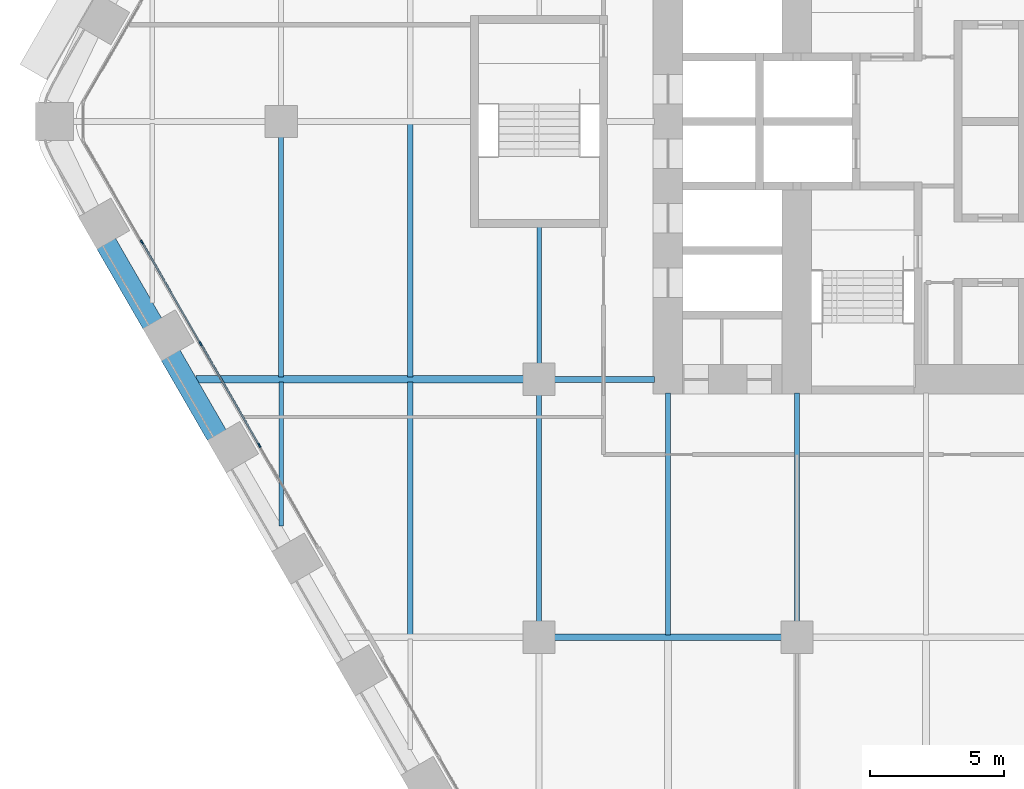
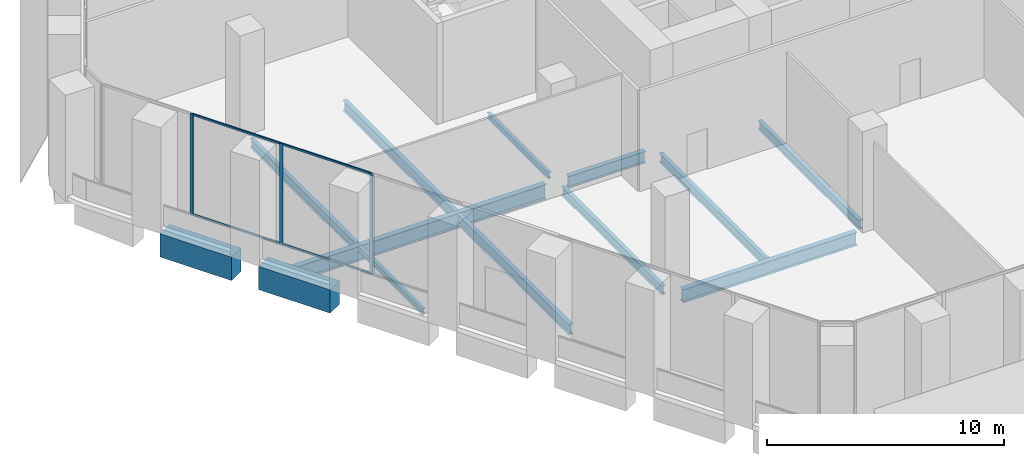
# One storey, part 3 of 32: 13 beams, 7 members, 1 element without a shape of its own.
"""IFC4 building model written with IfcOpenShell, lengths in metres."""

from ifc_helpers import new_model, si_unit, direction, frame, origin, origin_2d, place, context, subcontext, project, spatial, rectangle, i_section, extrude, material, material_profile, profile_set, type_object, element, aggregate, save


model = new_model("IFC4")

# Units and contexts
model_context = context("Model", 3, precision=1e-05, world=origin(), true_north=direction((0.0, 1.0)))
body_context = subcontext(model_context, "Body", "Model", "MODEL_VIEW")
ifc_project = project(units=[si_unit("LENGTHUNIT", "METRE"), si_unit("AREAUNIT", "SQUARE_METRE"), si_unit("VOLUMEUNIT", "CUBIC_METRE"), si_unit("PLANEANGLEUNIT", "RADIAN"), si_unit("MASSUNIT", "GRAM", prefix="KILO")], contexts=[model_context])

# Site, building, storey
site_placement = place(None, origin())
site = spatial("IfcSite", under=ifc_project, at=site_placement, CompositionType="ELEMENT")
building_placement = place(site_placement, origin())
building = spatial("IfcBuilding", under=site, at=building_placement, Name="Kolab Exchange Tower", CompositionType="ELEMENT")
storey_placement = place(building_placement, frame((0.0, 0.0, 60.89990234375)))
storey = spatial("IfcBuildingStorey", under=building, at=storey_placement, Name="L11", CompositionType="ELEMENT", Elevation=60.89990234375)

# Beams
ifc_material_1 = material(Name="Steel S355", Category="steel")
ifc_material_profile_1 = material_profile(ifc_material_1, i_section(OverallWidth=0.1650390625, OverallDepth=0.31005859375, WebThickness=0.005859375, FlangeThickness=0.009765625, at=origin_2d()), Name="W310X39")
ifc_profile_set_1 = profile_set([ifc_material_profile_1], Name="Steel S355")
beam_type_1 = type_object("IfcBeamType", Name="FLOOR BEAM W310X39", PredefinedType="BEAM", material=ifc_profile_set_1)
beam_1_placement = place(storey_placement, frame((-28.800048828125, -15.067626953125, -0.40478515625), z_axis=(0.0, 1.0, 0.0), x_axis=(-1.0, 0.0, 0.0)))
element("IfcBeam", 1, at=beam_1_placement, inside=storey, type_object=beam_type_1, Name="beam/L11/fr/002", PredefinedType="BEAM", context=body_context, shape_type="SweptSolid", body=[
    extrude(i_section(OverallWidth=0.1650390625, OverallDepth=0.31005859375, WebThickness=0.005859375, FlangeThickness=0.009765625, at=origin_2d()), origin(), (0.0, 0.0, 1.0), 5.3740234375),
])
beam_2_placement = place(storey_placement, frame((-19.199951171875, -9.0400390625, -0.40478515625), z_axis=(0.0, 1.0, 0.0), x_axis=(-1.0, 0.0, 0.0)))
element("IfcBeam", 2, at=beam_2_placement, inside=storey, type_object=beam_type_1, Name="beam/L11/fr/014", PredefinedType="BEAM", context=body_context, shape_type="SweptSolid", body=[
    extrude(i_section(OverallWidth=0.1650390625, OverallDepth=0.31005859375, WebThickness=0.005859375, FlangeThickness=0.009765625, at=origin_2d()), origin(), (0.0, 0.0, 1.0), 5.130126953125),
])
ifc_material_profile_2 = material_profile(ifc_material_1, i_section(OverallWidth=0.18994140625, OverallDepth=0.45703125, WebThickness=0.009033203125, FlangeThickness=0.014404296875, at=origin_2d()), Name="W460X74")
ifc_profile_set_2 = profile_set([ifc_material_profile_2], Name="Steel S355")
beam_type_2 = type_object("IfcBeamType", Name="FLOOR BEAM W460X74", PredefinedType="BEAM", material=ifc_profile_set_2)
beam_3_placement = place(storey_placement, frame((-28.800048828125, -9.506591796875, -0.478515625), z_axis=(0.0, 1.0, 0.0), x_axis=(-1.0, 0.0, 0.0)))
element("IfcBeam", 3, at=beam_3_placement, inside=storey, type_object=beam_type_2, Name="beam/L11/fr/003", PredefinedType="BEAM", context=body_context, shape_type="SweptSolid", body=[
    extrude(i_section(OverallWidth=0.18994140625, OverallDepth=0.45703125, WebThickness=0.009033203125, FlangeThickness=0.014404296875, at=origin_2d()), origin(), (0.0, 0.0, 1.0), 8.946533203125),
])
beam_4_placement = place(storey_placement, frame((-19.199951171875, -18.639892578125, -0.478515625), z_axis=(0.0, 1.0, 0.0), x_axis=(-1.0, 0.0, 0.0)))
element("IfcBeam", 4, at=beam_4_placement, inside=storey, type_object=beam_type_2, Name="beam/L11/fr/013", PredefinedType="BEAM", context=body_context, shape_type="SweptSolid", body=[
    extrude(i_section(OverallWidth=0.18994140625, OverallDepth=0.45703125, WebThickness=0.009033203125, FlangeThickness=0.014404296875, at=origin_2d()), origin(), (0.0, 0.0, 1.0), 8.47998046875),
])
beam_5_placement = place(storey_placement, frame((-14.39990234375, -19.113037109375, -0.478515625), z_axis=(0.0, 1.0, 0.0), x_axis=(-1.0, 0.0, 0.0)))
element("IfcBeam", 5, at=beam_5_placement, inside=storey, type_object=beam_type_2, Name="beam/L11/fr/019", PredefinedType="BEAM", context=body_context, shape_type="SweptSolid", body=[
    extrude(i_section(OverallWidth=0.18994140625, OverallDepth=0.45703125, WebThickness=0.009033203125, FlangeThickness=0.014404296875, at=origin_2d()), origin(), (0.0, 0.0, 1.0), 9.0029296875),
])
beam_6_placement = place(storey_placement, frame((-9.60009765625, -18.639892578125, -0.478515625), z_axis=(0.0, 1.0, 0.0), x_axis=(-1.0, 0.0, 0.0)))
element("IfcBeam", 6, at=beam_6_placement, inside=storey, type_object=beam_type_2, Name="beam/L11/fr/023", PredefinedType="BEAM", context=body_context, shape_type="SweptSolid", body=[
    extrude(i_section(OverallWidth=0.18994140625, OverallDepth=0.45703125, WebThickness=0.009033203125, FlangeThickness=0.014404296875, at=origin_2d()), origin(), (0.0, 0.0, 1.0), 8.52978515625),
])
ifc_material_profile_3 = material_profile(ifc_material_1, i_section(OverallWidth=0.208984375, OverallDepth=0.532958984375, WebThickness=0.01025390625, FlangeThickness=0.015625, at=origin_2d()), Name="W530X92")
ifc_profile_set_3 = profile_set([ifc_material_profile_3], Name="Steel S355")
beam_type_3 = type_object("IfcBeamType", Name="FLOOR BEAM W530X92", PredefinedType="BEAM", material=ifc_profile_set_3)
beam_7_placement = place(storey_placement, frame((-24.0, -19.1259765625, -0.516357421875), z_axis=(0.0, 1.0, 0.0), x_axis=(-1.0, 0.0, 0.0)))
element("IfcBeam", 7, at=beam_7_placement, inside=storey, type_object=beam_type_3, Name="beam/L11/fr/007", PredefinedType="BEAM", context=body_context, shape_type="SweptSolid", body=[
    extrude(i_section(OverallWidth=0.208984375, OverallDepth=0.532958984375, WebThickness=0.01025390625, FlangeThickness=0.015625, at=origin_2d()), origin(), (0.0, 0.0, 1.0), 9.432373046875),
])
beam_8_placement = place(storey_placement, frame((-24.0, -9.506591796875, -0.516357421875), z_axis=(0.0, 1.0, 0.0), x_axis=(-1.0, 0.0, 0.0)))
element("IfcBeam", 8, at=beam_8_placement, inside=storey, type_object=beam_type_3, Name="beam/L11/fr/008", PredefinedType="BEAM", context=body_context, shape_type="SweptSolid", body=[
    extrude(i_section(OverallWidth=0.208984375, OverallDepth=0.532958984375, WebThickness=0.01025390625, FlangeThickness=0.015625, at=origin_2d()), origin(), (0.0, 0.0, 1.0), 9.4326171875),
])
ifc_material_profile_4 = material_profile(ifc_material_1, i_section(OverallWidth=0.22802734375, OverallDepth=0.60791015625, WebThickness=0.01123046875, FlangeThickness=0.017333984375, at=origin_2d()), Name="W610X113")
ifc_profile_set_4 = profile_set([ifc_material_profile_4], Name="Steel S355")
beam_type_4 = type_object("IfcBeamType", Name="FLOOR GIRDER W610X113", PredefinedType="BEAM", material=ifc_profile_set_4)
beam_9_placement = place(storey_placement, frame((-18.639892578125, -9.60009765625, -0.553955078125), z_axis=(1.0, 0.0, 0.0), x_axis=(0.0, 1.0, 0.0)))
element("IfcBeam", 9, at=beam_9_placement, inside=storey, type_object=beam_type_4, Name="beam/L11/gd/007", PredefinedType="BEAM", context=body_context, shape_type="SweptSolid", body=[
    extrude(i_section(OverallWidth=0.22802734375, OverallDepth=0.60791015625, WebThickness=0.01123046875, FlangeThickness=0.017333984375, at=origin_2d()), origin(), (0.0, 0.0, 1.0), 3.72998046875),
])
ifc_material_profile_5 = material_profile(ifc_material_1, i_section(OverallWidth=0.25390625, OverallDepth=0.68408203125, WebThickness=0.012451171875, FlangeThickness=0.018798828125, at=origin_2d()), Name="W690X140")
ifc_profile_set_5 = profile_set([ifc_material_profile_5], Name="Steel S355")
beam_type_5 = type_object("IfcBeamType", Name="FLOOR GIRDER W690X140", PredefinedType="BEAM", material=ifc_profile_set_5)
beam_10_placement = place(storey_placement, frame((-18.639892578125, -19.199951171875, -0.591796875), z_axis=(1.0, 0.0, 0.0), x_axis=(0.0, 1.0, 0.0)))
element("IfcBeam", 10, at=beam_10_placement, inside=storey, type_object=beam_type_5, Name="beam/L11/gd/006", PredefinedType="BEAM", context=body_context, shape_type="SweptSolid", body=[
    extrude(i_section(OverallWidth=0.25390625, OverallDepth=0.68408203125, WebThickness=0.012451171875, FlangeThickness=0.018798828125, at=origin_2d()), origin(), (0.0, 0.0, 1.0), 8.47998046875),
])
ifc_material_profile_6 = material_profile(ifc_material_1, i_section(OverallWidth=0.26708984375, OverallDepth=0.761962890625, WebThickness=0.014404296875, FlangeThickness=0.021484375, at=origin_2d()), Name="W760X173")
ifc_profile_set_6 = profile_set([ifc_material_profile_6], Name="Steel S355")
beam_type_6 = type_object("IfcBeamType", Name="FLOOR GIRDER W760X173", PredefinedType="BEAM", material=ifc_profile_set_6)
beam_11_placement = place(storey_placement, frame((-31.9736328125, -9.60009765625, -0.630859375), z_axis=(1.0, 0.0, 0.0), x_axis=(0.0, 1.0, 0.0)))
element("IfcBeam", 11, at=beam_11_placement, inside=storey, type_object=beam_type_6, Name="beam/L11/gd/001", PredefinedType="BEAM", context=body_context, shape_type="SweptSolid", body=[
    extrude(i_section(OverallWidth=0.26708984375, OverallDepth=0.761962890625, WebThickness=0.014404296875, FlangeThickness=0.021484375, at=origin_2d()), origin(), (0.0, 0.0, 1.0), 12.213623046875),
])
ifc_material_2 = material(Name="Concrete C80/95", Category="concrete")
ifc_material_profile_7 = material_profile(ifc_material_2, rectangle(XDim=0.800048828125, YDim=1.199951171875, at=origin_2d()), Name="RC800X1200")
ifc_profile_set_7 = profile_set([ifc_material_profile_7], Name="Concrete C80/95")
beam_type_7 = type_object("IfcBeamType", Name="SPANDREL BEAM 800X1200 C80/95", PredefinedType="BEAM", material=ifc_profile_set_7)
beam_12_placement = place(storey_placement, frame((-31.18359375, -11.69921875, -0.849853515625), z_axis=(-0.499979528911, 0.866037222451, 0.0), x_axis=(-0.866037222451, -0.499979528911, 0.0)))
element("IfcBeam", 12, at=beam_12_placement, inside=storey, type_object=beam_type_7, Name="beam/L11/sp/F5-06", PredefinedType="BEAM", context=body_context, shape_type="SweptSolid", body=[
    extrude(rectangle(XDim=0.800048828125, YDim=1.199951171875, at=origin_2d()), origin(), (0.0, 0.0, 1.0), 3.480224609375),
])
beam_13_placement = place(storey_placement, frame((-33.58349609375, -7.542236328125, -0.849853515625), z_axis=(-0.500009906705, 0.86601968407, 0.0), x_axis=(-0.86601968407, -0.500009906705, 0.0)))
element("IfcBeam", 13, at=beam_13_placement, inside=storey, type_object=beam_type_7, Name="beam/L11/sp/F5-07", PredefinedType="BEAM", context=body_context, shape_type="SweptSolid", body=[
    extrude(rectangle(XDim=0.800048828125, YDim=1.199951171875, at=origin_2d()), origin(), (0.0, 0.0, 1.0), 3.47998046875),
])

# Curtain wall, members
ifc_material_3 = material(Name="Aluminium EN AW-6063 T6", Category="aluminium")
curtain_wall_type = type_object("IfcCurtainWallType", Name="UNITISED LOW ZONE CURTAIN WALL", PredefinedType="NOTDEFINED", material=ifc_material_3)
curtain_wall_placement = place(storey_placement, origin())
curtain_wall = element("IfcCurtainWall", 14, at=curtain_wall_placement, inside=storey, type_object=curtain_wall_type, Name="cw/L11/F5-2", PredefinedType="NOTDEFINED")
ifc_material_profile_8 = material_profile(ifc_material_3, rectangle(XDim=0.06005859375, YDim=0.159912109375, at=origin_2d()), Name="RECT 60X160")
ifc_profile_set_8 = profile_set([ifc_material_profile_8], Name="Aluminium EN AW-6063 T6")
member_type_1 = type_object("IfcMemberType", Name="UNITISED LOW ZONE MULLION 60 X 160", PredefinedType="MULLION", material=ifc_profile_set_8)
member_1_placement = place(storey_placement, frame((-29.615234375, -12.0556640625, 0.0), z_axis=(0.0, 0.0, 1.0), x_axis=(-0.866025422102, -0.499999968274, 0.0)))
member_1 = element("IfcMember", 15, at=member_1_placement, type_object=member_type_1, Name="CW1 mullion 2", PredefinedType="MULLION", context=body_context, shape_type="SweptSolid", body=[
    extrude(rectangle(XDim=0.06005859375, YDim=0.159912109375, at=origin_2d()), origin(), (0.0, 0.0, 1.0), 5.2001953125),
])
member_2_placement = place(storey_placement, frame((-31.798583984375, -8.27392578125, 0.0), z_axis=(0.0, 0.0, 1.0), x_axis=(-0.866025422102, -0.499999968274, 0.0)))
member_2 = element("IfcMember", 16, at=member_2_placement, type_object=member_type_1, Name="CW1 mullion 3", PredefinedType="MULLION", context=body_context, shape_type="SweptSolid", body=[
    extrude(rectangle(XDim=0.06005859375, YDim=0.159912109375, at=origin_2d()), origin(), (0.0, 0.0, 1.0), 5.2001953125),
])
member_3_placement = place(storey_placement, frame((-33.982177734375, -4.491943359375, 0.0), z_axis=(0.0, 0.0, 1.0), x_axis=(-0.866025422102, -0.499999968274, 0.0)))
member_3 = element("IfcMember", 17, at=member_3_placement, type_object=member_type_1, Name="CW1 mullion 4", PredefinedType="MULLION", context=body_context, shape_type="SweptSolid", body=[
    extrude(rectangle(XDim=0.06005859375, YDim=0.159912109375, at=origin_2d()), origin(), (0.0, 0.0, 1.0), 5.2001953125),
])
ifc_material_profile_9 = material_profile(ifc_material_3, rectangle(XDim=0.06005859375, YDim=0.10009765625, at=origin_2d()), Name="RECT 60X100")
ifc_profile_set_9 = profile_set([ifc_material_profile_9], Name="Aluminium EN AW-6063 T6")
member_type_2 = type_object("IfcMemberType", Name="UNITISED LOW ZONE TRANSOM 60 X 100", PredefinedType="USERDEFINED", material=ifc_profile_set_9)
member_4_placement = place(storey_placement, frame((-29.630126953125, -12.02978515625, 0.030029296875), z_axis=(-0.500010313095, 0.866019449435, 0.0), x_axis=(-0.866019449435, -0.500010313095, 0.0)))
member_4 = element("IfcMember", 18, at=member_4_placement, type_object=member_type_2, Name="CW1 transom 2.1", ObjectType="TRANSOM", PredefinedType="USERDEFINED", context=body_context, shape_type="SweptSolid", body=[
    extrude(rectangle(XDim=0.06005859375, YDim=0.10009765625, at=origin_2d()), origin(), (0.0, 0.0, 1.0), 4.30712890625),
])
member_5_placement = place(storey_placement, frame((-29.630126953125, -12.02978515625, 5.170166015625), z_axis=(-0.500010313095, 0.866019449435, 0.0), x_axis=(-0.866019449435, -0.500010313095, 0.0)))
member_5 = element("IfcMember", 19, at=member_5_placement, type_object=member_type_2, Name="CW1 transom 2.2", ObjectType="TRANSOM", PredefinedType="USERDEFINED", context=body_context, shape_type="SweptSolid", body=[
    extrude(rectangle(XDim=0.06005859375, YDim=0.10009765625, at=origin_2d()), origin(), (0.0, 0.0, 1.0), 4.30712890625),
])
member_6_placement = place(storey_placement, frame((-31.813720703125, -8.247802734375, 0.030029296875), z_axis=(-0.499967798808, 0.866043994353, 0.0), x_axis=(-0.866043994353, -0.499967798808, 0.0)))
member_6 = element("IfcMember", 20, at=member_6_placement, type_object=member_type_2, Name="CW1 transom 3.1", ObjectType="TRANSOM", PredefinedType="USERDEFINED", context=body_context, shape_type="SweptSolid", body=[
    extrude(rectangle(XDim=0.06005859375, YDim=0.10009765625, at=origin_2d()), origin(), (0.0, 0.0, 1.0), 4.306884765625),
])
member_7_placement = place(storey_placement, frame((-31.813720703125, -8.247802734375, 5.170166015625), z_axis=(-0.499967798808, 0.866043994353, 0.0), x_axis=(-0.866043994353, -0.499967798808, 0.0)))
member_7 = element("IfcMember", 21, at=member_7_placement, type_object=member_type_2, Name="CW1 transom 3.2", ObjectType="TRANSOM", PredefinedType="USERDEFINED", context=body_context, shape_type="SweptSolid", body=[
    extrude(rectangle(XDim=0.06005859375, YDim=0.10009765625, at=origin_2d()), origin(), (0.0, 0.0, 1.0), 4.306884765625),
])
aggregate(curtain_wall, [member_1, member_2, member_3, member_4, member_5, member_6, member_7])

save(model, "model.ifc")
